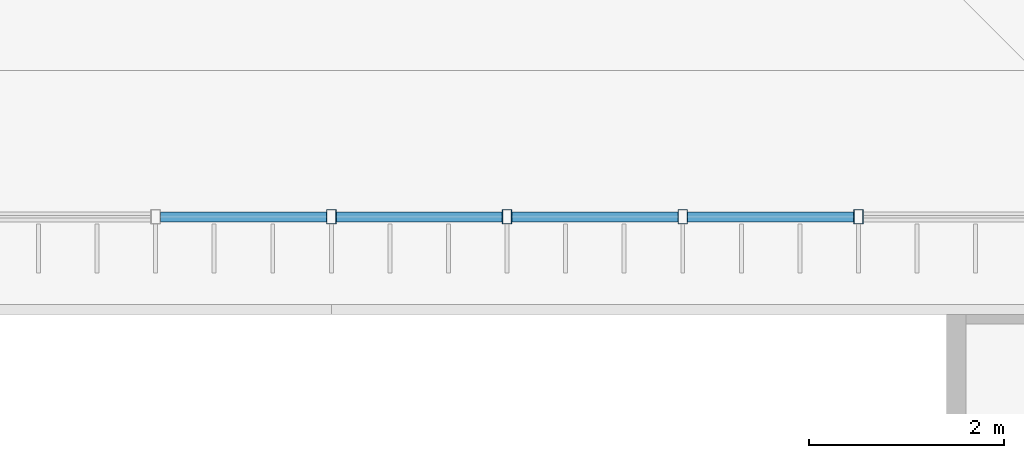
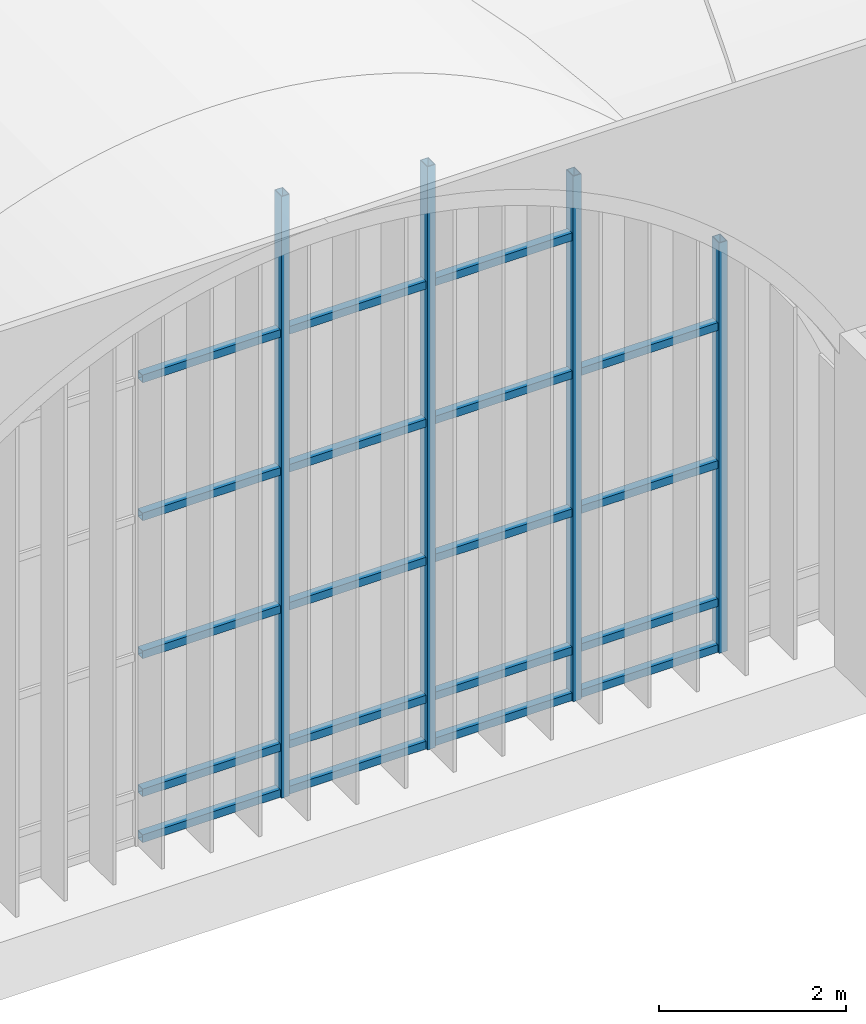
# One storey, part 36 of 169: 23 members, 1 element without a shape of its own.
"""IFC4 building model written with IfcOpenShell, lengths in metres."""

from ifc_helpers import new_model, si_unit, direction, frame, origin, origin_2d, place, context, subcontext, project, spatial, hollow_rectangle, extrude, material, layer, layer_set, material_profile, profile_set, type_object, element, aggregate, save


model = new_model("IFC4")

# Units and contexts
model_context = context("Model", 3, precision=1e-05, world=origin(), true_north=direction((0.0, 1.0)))
body_context = subcontext(model_context, "Body", "Model", "MODEL_VIEW")
ifc_project = project(units=[si_unit("LENGTHUNIT", "METRE"), si_unit("AREAUNIT", "SQUARE_METRE"), si_unit("VOLUMEUNIT", "CUBIC_METRE"), si_unit("PLANEANGLEUNIT", "RADIAN"), si_unit("MASSUNIT", "GRAM", prefix="KILO")], contexts=[model_context])

# Site, building, storey
site_placement = place(None, origin())
site = spatial("IfcSite", under=ifc_project, at=site_placement, CompositionType="ELEMENT")
building_placement = place(site_placement, origin())
building = spatial("IfcBuilding", under=site, at=building_placement, Name="Verrick Yard Athletic Hall", CompositionType="ELEMENT")
storey_placement = place(building_placement, frame((0.0, 0.0, 4.39990234375)))
storey = spatial("IfcBuildingStorey", under=building, at=storey_placement, Name="L01", CompositionType="ELEMENT", Elevation=4.39990234375)

# Curtain wall, members
ifc_material_1 = material(Name="Aluminium and glass curtain wall", Category="aluminium")
ifc_layer = layer(ifc_material_1, 0.14990234375)
ifc_layer_set = layer_set([ifc_layer], Name="Arcade glazing arch")
curtain_wall_type = type_object("IfcCurtainWallType", Name="Arcade glazing arch", PredefinedType="NOTDEFINED", material=ifc_layer_set)
curtain_wall_placement = place(storey_placement, origin())
curtain_wall = element("IfcCurtainWall", 1, at=curtain_wall_placement, inside=storey, type_object=curtain_wall_type, Name="Arcade glazing S6", PredefinedType="NOTDEFINED")
ifc_material_2 = material(Name="Structural steel HSS Class C 350W (CSA G40.20/G40.21)", Category="steel")
ifc_material_profile_1 = material_profile(ifc_material_2, hollow_rectangle(XDim=0.1015625, YDim=0.15234375, WallThickness=0.008056640625, at=origin_2d()), Name="HSS152x102x7.9")
ifc_profile_set_1 = profile_set([ifc_material_profile_1], Name="Structural steel HSS Class C 350W (CSA G40.20/G40.21)")
member_type_1 = type_object("IfcMemberType", Name="Curtain wall mullion HSS152x102x7.9", PredefinedType="MULLION", material=ifc_profile_set_1)
member_1_placement = place(storey_placement, frame((132.39990234375, 18.89990234375, 0.0), z_axis=(0.0, 0.0, 1.0), x_axis=(1.0, 0.0, 0.0)))
member_1 = element("IfcMember", 2, at=member_1_placement, type_object=member_type_1, Name="Arcade glazing S6 mullion 5", PredefinedType="MULLION", context=body_context, shape_type="SweptSolid", body=[
    extrude(hollow_rectangle(XDim=0.1015625, YDim=0.15234375, WallThickness=0.008056640625, at=origin_2d()), origin(), (0.0, 0.0, 1.0), 7.8486328125),
])
member_2_placement = place(storey_placement, frame((134.199951171875, 18.89990234375, 0.0), z_axis=(0.0, 0.0, 1.0), x_axis=(1.0, 0.0, 0.0)))
member_2 = element("IfcMember", 3, at=member_2_placement, type_object=member_type_1, Name="Arcade glazing S6 mullion 6", PredefinedType="MULLION", context=body_context, shape_type="SweptSolid", body=[
    extrude(hollow_rectangle(XDim=0.1015625, YDim=0.15234375, WallThickness=0.008056640625, at=origin_2d()), origin(), (0.0, 0.0, 1.0), 7.607666015625),
])
member_3_placement = place(storey_placement, frame((136.0, 18.89990234375, 0.0), z_axis=(0.0, 0.0, 1.0), x_axis=(1.0, 0.0, 0.0)))
member_3 = element("IfcMember", 4, at=member_3_placement, type_object=member_type_1, Name="Arcade glazing S6 mullion 7", PredefinedType="MULLION", context=body_context, shape_type="SweptSolid", body=[
    extrude(hollow_rectangle(XDim=0.1015625, YDim=0.15234375, WallThickness=0.008056640625, at=origin_2d()), origin(), (0.0, 0.0, 1.0), 6.8544921875),
])
member_4_placement = place(storey_placement, frame((137.800048828125, 18.89990234375, 0.0), z_axis=(0.0, 0.0, 1.0), x_axis=(1.0, 0.0, 0.0)))
member_4 = element("IfcMember", 5, at=member_4_placement, type_object=member_type_1, Name="Arcade glazing S6 mullion 8", PredefinedType="MULLION", context=body_context, shape_type="SweptSolid", body=[
    extrude(hollow_rectangle(XDim=0.1015625, YDim=0.15234375, WallThickness=0.008056640625, at=origin_2d()), origin(), (0.0, 0.0, 1.0), 5.351806640625),
])
ifc_material_profile_2 = material_profile(ifc_material_2, hollow_rectangle(XDim=0.1015625, YDim=0.1015625, WallThickness=0.00634765625, at=origin_2d()), Name="HSS102x102x6.4")
ifc_profile_set_2 = profile_set([ifc_material_profile_2], Name="Structural steel HSS Class C 350W (CSA G40.20/G40.21)")
member_type_2 = type_object("IfcMemberType", Name="Curtain wall transom HSS102x102x6.4", PredefinedType="USERDEFINED", material=ifc_profile_set_2)
member_5_placement = place(storey_placement, frame((130.65087890625, 18.89990234375, 0.05078125), z_axis=(1.0, 0.0, 0.0), x_axis=(0.0, 1.0, 0.0)))
member_5 = element("IfcMember", 6, at=member_5_placement, type_object=member_type_2, Name="Arcade glazing S6 transom 12", ObjectType="TRANSOM", PredefinedType="USERDEFINED", context=body_context, shape_type="SweptSolid", body=[
    extrude(hollow_rectangle(XDim=0.1015625, YDim=0.1015625, WallThickness=0.00634765625, at=origin_2d()), origin(), (0.0, 0.0, 1.0), 1.6982421875),
])
member_6_placement = place(storey_placement, frame((130.65087890625, 18.89990234375, 0.650146484375), z_axis=(1.0, 0.0, 0.0), x_axis=(0.0, 1.0, 0.0)))
member_6 = element("IfcMember", 7, at=member_6_placement, type_object=member_type_2, Name="Arcade glazing S6 transom 13", ObjectType="TRANSOM", PredefinedType="USERDEFINED", context=body_context, shape_type="SweptSolid", body=[
    extrude(hollow_rectangle(XDim=0.1015625, YDim=0.1015625, WallThickness=0.00634765625, at=origin_2d()), origin(), (0.0, 0.0, 1.0), 1.6982421875),
])
member_7_placement = place(storey_placement, frame((130.65087890625, 18.89990234375, 2.4501953125), z_axis=(1.0, 0.0, 0.0), x_axis=(0.0, 1.0, 0.0)))
member_7 = element("IfcMember", 8, at=member_7_placement, type_object=member_type_2, Name="Arcade glazing S6 transom 14", ObjectType="TRANSOM", PredefinedType="USERDEFINED", context=body_context, shape_type="SweptSolid", body=[
    extrude(hollow_rectangle(XDim=0.1015625, YDim=0.1015625, WallThickness=0.00634765625, at=origin_2d()), origin(), (0.0, 0.0, 1.0), 1.6982421875),
])
member_8_placement = place(storey_placement, frame((130.65087890625, 18.89990234375, 4.25), z_axis=(1.0, 0.0, 0.0), x_axis=(0.0, 1.0, 0.0)))
member_8 = element("IfcMember", 9, at=member_8_placement, type_object=member_type_2, Name="Arcade glazing S6 transom 15", ObjectType="TRANSOM", PredefinedType="USERDEFINED", context=body_context, shape_type="SweptSolid", body=[
    extrude(hollow_rectangle(XDim=0.1015625, YDim=0.1015625, WallThickness=0.00634765625, at=origin_2d()), origin(), (0.0, 0.0, 1.0), 1.6982421875),
])
member_9_placement = place(storey_placement, frame((130.65087890625, 18.89990234375, 6.050048828125), z_axis=(1.0, 0.0, 0.0), x_axis=(0.0, 1.0, 0.0)))
member_9 = element("IfcMember", 10, at=member_9_placement, type_object=member_type_2, Name="Arcade glazing S6 transom 16", ObjectType="TRANSOM", PredefinedType="USERDEFINED", context=body_context, shape_type="SweptSolid", body=[
    extrude(hollow_rectangle(XDim=0.1015625, YDim=0.1015625, WallThickness=0.00634765625, at=origin_2d()), origin(), (0.0, 0.0, 1.0), 1.6982421875),
])
member_10_placement = place(storey_placement, frame((132.45068359375, 18.89990234375, 0.05078125), z_axis=(1.0, 0.0, 0.0), x_axis=(0.0, 1.0, 0.0)))
member_10 = element("IfcMember", 11, at=member_10_placement, type_object=member_type_2, Name="Arcade glazing S6 transom 17", ObjectType="TRANSOM", PredefinedType="USERDEFINED", context=body_context, shape_type="SweptSolid", body=[
    extrude(hollow_rectangle(XDim=0.1015625, YDim=0.1015625, WallThickness=0.00634765625, at=origin_2d()), origin(), (0.0, 0.0, 1.0), 1.698486328125),
])
member_11_placement = place(storey_placement, frame((132.45068359375, 18.89990234375, 0.650146484375), z_axis=(1.0, 0.0, 0.0), x_axis=(0.0, 1.0, 0.0)))
member_11 = element("IfcMember", 12, at=member_11_placement, type_object=member_type_2, Name="Arcade glazing S6 transom 18", ObjectType="TRANSOM", PredefinedType="USERDEFINED", context=body_context, shape_type="SweptSolid", body=[
    extrude(hollow_rectangle(XDim=0.1015625, YDim=0.1015625, WallThickness=0.00634765625, at=origin_2d()), origin(), (0.0, 0.0, 1.0), 1.698486328125),
])
member_12_placement = place(storey_placement, frame((132.45068359375, 18.89990234375, 2.4501953125), z_axis=(1.0, 0.0, 0.0), x_axis=(0.0, 1.0, 0.0)))
member_12 = element("IfcMember", 13, at=member_12_placement, type_object=member_type_2, Name="Arcade glazing S6 transom 19", ObjectType="TRANSOM", PredefinedType="USERDEFINED", context=body_context, shape_type="SweptSolid", body=[
    extrude(hollow_rectangle(XDim=0.1015625, YDim=0.1015625, WallThickness=0.00634765625, at=origin_2d()), origin(), (0.0, 0.0, 1.0), 1.698486328125),
])
member_13_placement = place(storey_placement, frame((132.45068359375, 18.89990234375, 4.25), z_axis=(1.0, 0.0, 0.0), x_axis=(0.0, 1.0, 0.0)))
member_13 = element("IfcMember", 14, at=member_13_placement, type_object=member_type_2, Name="Arcade glazing S6 transom 20", ObjectType="TRANSOM", PredefinedType="USERDEFINED", context=body_context, shape_type="SweptSolid", body=[
    extrude(hollow_rectangle(XDim=0.1015625, YDim=0.1015625, WallThickness=0.00634765625, at=origin_2d()), origin(), (0.0, 0.0, 1.0), 1.698486328125),
])
member_14_placement = place(storey_placement, frame((132.45068359375, 18.89990234375, 6.050048828125), z_axis=(1.0, 0.0, 0.0), x_axis=(0.0, 1.0, 0.0)))
member_14 = element("IfcMember", 15, at=member_14_placement, type_object=member_type_2, Name="Arcade glazing S6 transom 21", ObjectType="TRANSOM", PredefinedType="USERDEFINED", context=body_context, shape_type="SweptSolid", body=[
    extrude(hollow_rectangle(XDim=0.1015625, YDim=0.1015625, WallThickness=0.00634765625, at=origin_2d()), origin(), (0.0, 0.0, 1.0), 1.698486328125),
])
member_15_placement = place(storey_placement, frame((134.250732421875, 18.89990234375, 0.05078125), z_axis=(1.0, 0.0, 0.0), x_axis=(0.0, 1.0, 0.0)))
member_15 = element("IfcMember", 16, at=member_15_placement, type_object=member_type_2, Name="Arcade glazing S6 transom 22", ObjectType="TRANSOM", PredefinedType="USERDEFINED", context=body_context, shape_type="SweptSolid", body=[
    extrude(hollow_rectangle(XDim=0.1015625, YDim=0.1015625, WallThickness=0.00634765625, at=origin_2d()), origin(), (0.0, 0.0, 1.0), 1.698486328125),
])
member_16_placement = place(storey_placement, frame((134.250732421875, 18.89990234375, 0.650146484375), z_axis=(1.0, 0.0, 0.0), x_axis=(0.0, 1.0, 0.0)))
member_16 = element("IfcMember", 17, at=member_16_placement, type_object=member_type_2, Name="Arcade glazing S6 transom 23", ObjectType="TRANSOM", PredefinedType="USERDEFINED", context=body_context, shape_type="SweptSolid", body=[
    extrude(hollow_rectangle(XDim=0.1015625, YDim=0.1015625, WallThickness=0.00634765625, at=origin_2d()), origin(), (0.0, 0.0, 1.0), 1.698486328125),
])
member_17_placement = place(storey_placement, frame((134.250732421875, 18.89990234375, 2.4501953125), z_axis=(1.0, 0.0, 0.0), x_axis=(0.0, 1.0, 0.0)))
member_17 = element("IfcMember", 18, at=member_17_placement, type_object=member_type_2, Name="Arcade glazing S6 transom 24", ObjectType="TRANSOM", PredefinedType="USERDEFINED", context=body_context, shape_type="SweptSolid", body=[
    extrude(hollow_rectangle(XDim=0.1015625, YDim=0.1015625, WallThickness=0.00634765625, at=origin_2d()), origin(), (0.0, 0.0, 1.0), 1.698486328125),
])
member_18_placement = place(storey_placement, frame((134.250732421875, 18.89990234375, 4.25), z_axis=(1.0, 0.0, 0.0), x_axis=(0.0, 1.0, 0.0)))
member_18 = element("IfcMember", 19, at=member_18_placement, type_object=member_type_2, Name="Arcade glazing S6 transom 25", ObjectType="TRANSOM", PredefinedType="USERDEFINED", context=body_context, shape_type="SweptSolid", body=[
    extrude(hollow_rectangle(XDim=0.1015625, YDim=0.1015625, WallThickness=0.00634765625, at=origin_2d()), origin(), (0.0, 0.0, 1.0), 1.698486328125),
])
member_19_placement = place(storey_placement, frame((134.250732421875, 18.89990234375, 6.050048828125), z_axis=(1.0, 0.0, 0.0), x_axis=(0.0, 1.0, 0.0)))
member_19 = element("IfcMember", 20, at=member_19_placement, type_object=member_type_2, Name="Arcade glazing S6 transom 26", ObjectType="TRANSOM", PredefinedType="USERDEFINED", context=body_context, shape_type="SweptSolid", body=[
    extrude(hollow_rectangle(XDim=0.1015625, YDim=0.1015625, WallThickness=0.00634765625, at=origin_2d()), origin(), (0.0, 0.0, 1.0), 1.698486328125),
])
member_20_placement = place(storey_placement, frame((136.05078125, 18.89990234375, 0.05078125), z_axis=(1.0, 0.0, 0.0), x_axis=(0.0, 1.0, 0.0)))
member_20 = element("IfcMember", 21, at=member_20_placement, type_object=member_type_2, Name="Arcade glazing S6 transom 27", ObjectType="TRANSOM", PredefinedType="USERDEFINED", context=body_context, shape_type="SweptSolid", body=[
    extrude(hollow_rectangle(XDim=0.1015625, YDim=0.1015625, WallThickness=0.00634765625, at=origin_2d()), origin(), (0.0, 0.0, 1.0), 1.698486328125),
])
member_21_placement = place(storey_placement, frame((136.05078125, 18.89990234375, 0.650146484375), z_axis=(1.0, 0.0, 0.0), x_axis=(0.0, 1.0, 0.0)))
member_21 = element("IfcMember", 22, at=member_21_placement, type_object=member_type_2, Name="Arcade glazing S6 transom 28", ObjectType="TRANSOM", PredefinedType="USERDEFINED", context=body_context, shape_type="SweptSolid", body=[
    extrude(hollow_rectangle(XDim=0.1015625, YDim=0.1015625, WallThickness=0.00634765625, at=origin_2d()), origin(), (0.0, 0.0, 1.0), 1.698486328125),
])
member_22_placement = place(storey_placement, frame((136.05078125, 18.89990234375, 2.4501953125), z_axis=(1.0, 0.0, 0.0), x_axis=(0.0, 1.0, 0.0)))
member_22 = element("IfcMember", 23, at=member_22_placement, type_object=member_type_2, Name="Arcade glazing S6 transom 29", ObjectType="TRANSOM", PredefinedType="USERDEFINED", context=body_context, shape_type="SweptSolid", body=[
    extrude(hollow_rectangle(XDim=0.1015625, YDim=0.1015625, WallThickness=0.00634765625, at=origin_2d()), origin(), (0.0, 0.0, 1.0), 1.698486328125),
])
member_23_placement = place(storey_placement, frame((136.05078125, 18.89990234375, 4.25), z_axis=(1.0, 0.0, 0.0), x_axis=(0.0, 1.0, 0.0)))
member_23 = element("IfcMember", 24, at=member_23_placement, type_object=member_type_2, Name="Arcade glazing S6 transom 30", ObjectType="TRANSOM", PredefinedType="USERDEFINED", context=body_context, shape_type="SweptSolid", body=[
    extrude(hollow_rectangle(XDim=0.1015625, YDim=0.1015625, WallThickness=0.00634765625, at=origin_2d()), origin(), (0.0, 0.0, 1.0), 1.698486328125),
])
aggregate(curtain_wall, [member_1, member_2, member_3, member_4, member_5, member_6, member_7, member_8, member_9, member_10, member_11, member_12, member_13, member_14, member_15, member_16, member_17, member_18, member_19, member_20, member_21, member_22, member_23])

save(model, "model.ifc")
